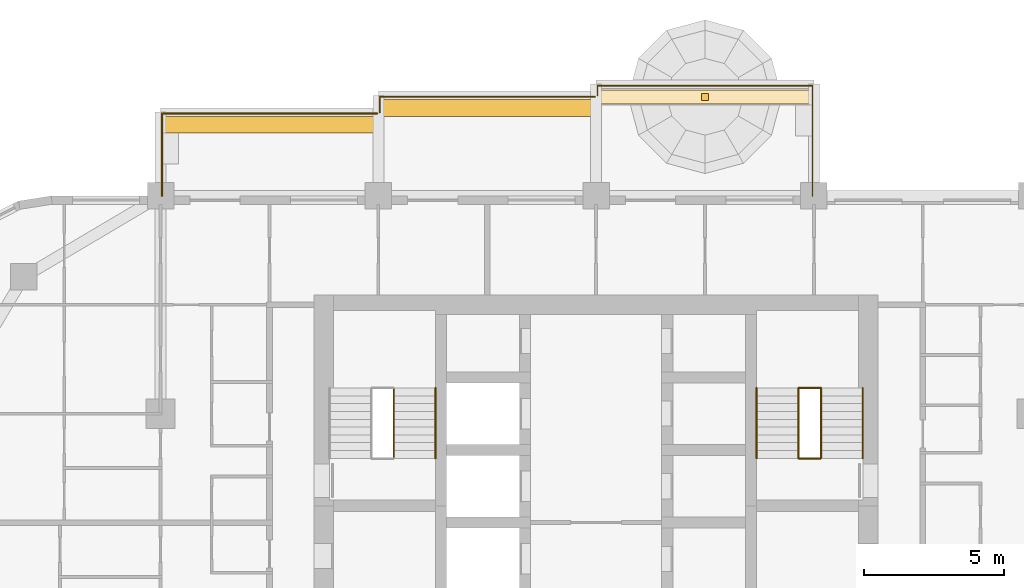
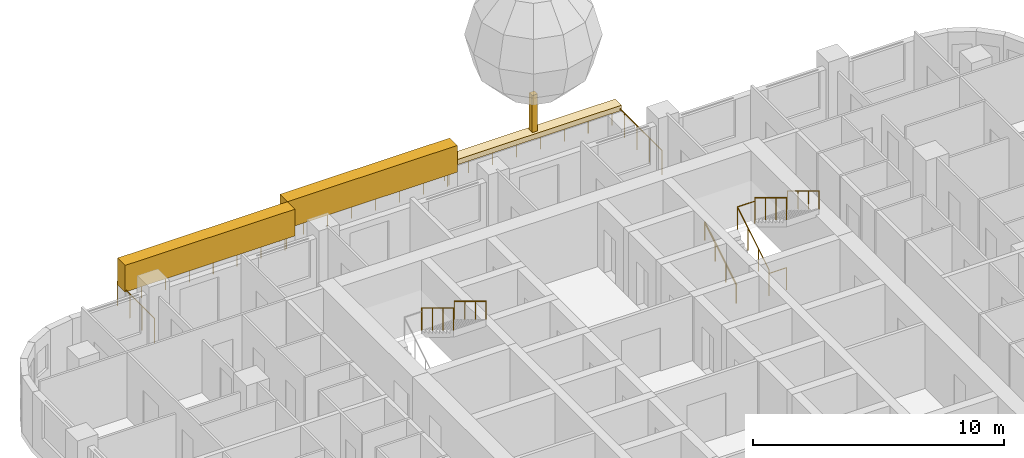
# One storey, part 17 of 18: 11 railings, 4 coverings, 2 elements without a shape of their own.
"""IFC4 building model written with IfcOpenShell, lengths in metres."""

from ifc_helpers import new_model, si_unit, direction, frame, origin, origin_2d, place, context, subcontext, project, spatial, rectangle, circle, extrude, material, layer, layer_set, type_object, element, aggregate, save


model = new_model("IFC4")

# Units and contexts
model_context = context("Model", 3, precision=1e-05, world=origin(), true_north=direction((0.0, 1.0)))
body_context = subcontext(model_context, "Body", "Model", "MODEL_VIEW")
ifc_project = project(units=[si_unit("LENGTHUNIT", "METRE"), si_unit("AREAUNIT", "SQUARE_METRE"), si_unit("VOLUMEUNIT", "CUBIC_METRE"), si_unit("PLANEANGLEUNIT", "RADIAN"), si_unit("MASSUNIT", "GRAM", prefix="KILO")], contexts=[model_context])

# Site, building, storey
site_placement = place(None, origin())
site = spatial("IfcSite", under=ifc_project, at=site_placement, CompositionType="ELEMENT")
building_placement = place(site_placement, origin())
building = spatial("IfcBuilding", under=site, at=building_placement, Name="Ludao Terraces", CompositionType="ELEMENT")
storey_placement = place(building_placement, frame((0.0, 0.0, 58.0)))
storey = spatial("IfcBuildingStorey", under=building, at=storey_placement, Name="L15", CompositionType="ELEMENT", Elevation=58.0)

# Railings
ifc_material_1 = material(Name="Stainless steel 304", Category="steel")
railing_type_1 = type_object("IfcRailingType", Name="ENV Balcony glass guard 1200", PredefinedType="GUARDRAIL", material=ifc_material_1)
railing_1_placement = place(storey_placement, frame((69.449951171875, 88.39990234375, 0.0)))
element("IfcRailing", 1, at=railing_1_placement, inside=storey, type_object=railing_type_1, Name="Balcony guard L15 N1", PredefinedType="GUARDRAIL", context=body_context, shape_type="SweptSolid", body=[
    extrude(circle(Radius=0.02392578125, at=origin_2d()), frame((0.0, 0.0, 1.17578125), z_axis=(0.0, 1.0, 0.0), x_axis=(-1.0, 0.0, 0.0)), (0.0, 0.0, 1.0), 2.9501953125),
    extrude(circle(Radius=0.02392578125, at=origin_2d()), frame((0.0, 2.9501953125, 1.17578125), z_axis=(1.0, 0.0, 0.0), x_axis=(0.0, 1.0, 0.0)), (0.0, 0.0, 1.0), 7.699951171875),
    extrude(circle(Radius=0.02099609375, at=origin_2d()), origin(), (0.0, 0.0, 1.0), 1.15185546875),
    extrude(circle(Radius=0.02099609375, at=origin_2d()), frame((0.0, 0.9833984375, 0.0)), (0.0, 0.0, 1.0), 1.15185546875),
    extrude(circle(Radius=0.02099609375, at=origin_2d()), frame((0.0, 1.966796875, 0.0)), (0.0, 0.0, 1.0), 1.15185546875),
    extrude(circle(Radius=0.02099609375, at=origin_2d()), frame((0.0, 2.9501953125, 0.0)), (0.0, 0.0, 1.0), 1.15185546875),
    extrude(circle(Radius=0.02099609375, at=origin_2d()), frame((1.10009765625, 2.9501953125, 0.0)), (0.0, 0.0, 1.0), 1.15185546875),
    extrude(circle(Radius=0.02099609375, at=origin_2d()), frame((2.199951171875, 2.9501953125, 0.0)), (0.0, 0.0, 1.0), 1.15185546875),
    extrude(circle(Radius=0.02099609375, at=origin_2d()), frame((3.300048828125, 2.9501953125, 0.0)), (0.0, 0.0, 1.0), 1.15185546875),
    extrude(circle(Radius=0.02099609375, at=origin_2d()), frame((4.39990234375, 2.9501953125, 0.0)), (0.0, 0.0, 1.0), 1.15185546875),
    extrude(circle(Radius=0.02099609375, at=origin_2d()), frame((5.5, 2.9501953125, 0.0)), (0.0, 0.0, 1.0), 1.15185546875),
    extrude(circle(Radius=0.02099609375, at=origin_2d()), frame((6.599853515625, 2.9501953125, 0.0)), (0.0, 0.0, 1.0), 1.15185546875),
    extrude(circle(Radius=0.02099609375, at=origin_2d()), frame((7.699951171875, 2.9501953125, 0.0)), (0.0, 0.0, 1.0), 1.15185546875),
])
railing_2_placement = place(storey_placement, frame((77.25, 91.39990234375, 0.0)))
element("IfcRailing", 2, at=railing_2_placement, inside=storey, type_object=railing_type_1, Name="Balcony guard L15 N2", PredefinedType="GUARDRAIL", context=body_context, shape_type="SweptSolid", body=[
    extrude(circle(Radius=0.02392578125, at=origin_2d()), frame((0.0, 0.0, 1.17578125), z_axis=(0.0, 1.0, 0.0), x_axis=(-1.0, 0.0, 0.0)), (0.0, 0.0, 1.0), 0.550048828125),
    extrude(circle(Radius=0.02392578125, at=origin_2d()), frame((0.0, 0.550048828125, 1.17578125), z_axis=(1.0, 0.0, 0.0), x_axis=(0.0, 1.0, 0.0)), (0.0, 0.0, 1.0), 7.699951171875),
    extrude(circle(Radius=0.02099609375, at=origin_2d()), origin(), (0.0, 0.0, 1.0), 1.15185546875),
    extrude(circle(Radius=0.02099609375, at=origin_2d()), frame((0.0, 0.550048828125, 0.0)), (0.0, 0.0, 1.0), 1.15185546875),
    extrude(circle(Radius=0.02099609375, at=origin_2d()), frame((1.10009765625, 0.550048828125, 0.0)), (0.0, 0.0, 1.0), 1.15185546875),
    extrude(circle(Radius=0.02099609375, at=origin_2d()), frame((2.199951171875, 0.550048828125, 0.0)), (0.0, 0.0, 1.0), 1.15185546875),
    extrude(circle(Radius=0.02099609375, at=origin_2d()), frame((3.300048828125, 0.550048828125, 0.0)), (0.0, 0.0, 1.0), 1.15185546875),
    extrude(circle(Radius=0.02099609375, at=origin_2d()), frame((4.39990234375, 0.550048828125, 0.0)), (0.0, 0.0, 1.0), 1.15185546875),
    extrude(circle(Radius=0.02099609375, at=origin_2d()), frame((5.5, 0.550048828125, 0.0)), (0.0, 0.0, 1.0), 1.15185546875),
    extrude(circle(Radius=0.02099609375, at=origin_2d()), frame((6.599853515625, 0.550048828125, 0.0)), (0.0, 0.0, 1.0), 1.15185546875),
    extrude(circle(Radius=0.02099609375, at=origin_2d()), frame((7.699951171875, 0.550048828125, 0.0)), (0.0, 0.0, 1.0), 1.15185546875),
])
railing_3_placement = place(storey_placement, frame((85.050048828125, 92.0, 0.0)))
element("IfcRailing", 3, at=railing_3_placement, inside=storey, type_object=railing_type_1, Name="Balcony guard L15 N3", PredefinedType="GUARDRAIL", context=body_context, shape_type="SweptSolid", body=[
    extrude(circle(Radius=0.02392578125, at=origin_2d()), frame((0.0, 0.0, 1.17578125), z_axis=(0.0, 1.0, 0.0), x_axis=(-1.0, 0.0, 0.0)), (0.0, 0.0, 1.0), 0.35009765625),
    extrude(circle(Radius=0.02392578125, at=origin_2d()), frame((0.0, 0.35009765625, 1.17578125), z_axis=(1.0, 0.0, 0.0), x_axis=(0.0, 1.0, 0.0)), (0.0, 0.0, 1.0), 7.699951171875),
    extrude(circle(Radius=0.02392578125, at=origin_2d()), frame((7.699951171875, 0.35009765625, 1.17578125), z_axis=(0.0, -1.0, 0.0), x_axis=(1.0, 0.0, 0.0)), (0.0, 0.0, 1.0), 3.9501953125),
    extrude(circle(Radius=0.02099609375, at=origin_2d()), origin(), (0.0, 0.0, 1.0), 1.15185546875),
    extrude(circle(Radius=0.02099609375, at=origin_2d()), frame((0.0, 0.35009765625, 0.0)), (0.0, 0.0, 1.0), 1.15185546875),
    extrude(circle(Radius=0.02099609375, at=origin_2d()), frame((1.10009765625, 0.35009765625, 0.0)), (0.0, 0.0, 1.0), 1.15185546875),
    extrude(circle(Radius=0.02099609375, at=origin_2d()), frame((2.199951171875, 0.35009765625, 0.0)), (0.0, 0.0, 1.0), 1.15185546875),
    extrude(circle(Radius=0.02099609375, at=origin_2d()), frame((3.300048828125, 0.35009765625, 0.0)), (0.0, 0.0, 1.0), 1.15185546875),
    extrude(circle(Radius=0.02099609375, at=origin_2d()), frame((4.39990234375, 0.35009765625, 0.0)), (0.0, 0.0, 1.0), 1.15185546875),
    extrude(circle(Radius=0.02099609375, at=origin_2d()), frame((5.5, 0.35009765625, 0.0)), (0.0, 0.0, 1.0), 1.15185546875),
    extrude(circle(Radius=0.02099609375, at=origin_2d()), frame((6.599853515625, 0.35009765625, 0.0)), (0.0, 0.0, 1.0), 1.15185546875),
    extrude(circle(Radius=0.02099609375, at=origin_2d()), frame((7.699951171875, 0.35009765625, 0.0)), (0.0, 0.0, 1.0), 1.15185546875),
    extrude(circle(Radius=0.02099609375, at=origin_2d()), frame((7.699951171875, -0.637451171875, 0.0)), (0.0, 0.0, 1.0), 1.15185546875),
    extrude(circle(Radius=0.02099609375, at=origin_2d()), frame((7.699951171875, -1.625, 0.0)), (0.0, 0.0, 1.0), 1.15185546875),
    extrude(circle(Radius=0.02099609375, at=origin_2d()), frame((7.699951171875, -2.612548828125, 0.0)), (0.0, 0.0, 1.0), 1.15185546875),
    extrude(circle(Radius=0.02099609375, at=origin_2d()), frame((7.699951171875, -3.60009765625, 0.0)), (0.0, 0.0, 1.0), 1.15185546875),
])

# Coverings
ifc_material_2 = material(Name="Planting")
ifc_layer_1 = layer(ifc_material_2, 0.5)
ifc_layer_set_1 = layer_set([ifc_layer_1], Name="ENV Planting bed 250")
covering_type_1 = type_object("IfcCoveringType", Name="ENV Planting bed 250", PredefinedType="USERDEFINED", material=ifc_layer_set_1)
covering_1_placement = place(storey_placement, frame((88.89990234375, 91.949951171875, 1.10009765625), z_axis=(0.0, 0.0, 1.0), x_axis=(1.0, 0.0, 0.0)))
element("IfcCovering", 4, at=covering_1_placement, inside=storey, type_object=covering_type_1, Name="Planting bed L15-N3", ObjectType="PLANTING", PredefinedType="USERDEFINED", context=body_context, shape_type="SweptSolid", body=[
    extrude(rectangle(XDim=7.800048828125, YDim=0.5, at=origin_2d()), origin(), (0.0, 0.0, 1.0), 0.25),
])
ifc_layer_2 = layer(ifc_material_2, 0.60009765625)
ifc_layer_set_2 = layer_set([ifc_layer_2], Name="ENV Planting hedge 600x1300")
covering_type_2 = type_object("IfcCoveringType", Name="ENV Planting hedge 600x1300", PredefinedType="USERDEFINED", material=ifc_layer_set_2)
for number, where, z_axis, x_axis, name in (
    (5, (73.300048828125, 90.949951171875, 1.10009765625), (0.0, 0.0, 1.0), (1.0, 0.0, 0.0), "Planting hedge L15-N1"),
    (6, (81.10009765625, 91.550048828125, 1.10009765625), (0.0, 0.0, 1.0), (1.0, 0.0, 0.0), "Planting hedge L15-N2"),
):
    element("IfcCovering", number, at=place(storey_placement, frame(where, z_axis=z_axis, x_axis=x_axis)), inside=storey, type_object=covering_type_2, Name=name, ObjectType="PLANTING", PredefinedType="USERDEFINED", context=body_context, shape_type="SweptSolid", body=[
        extrude(rectangle(XDim=7.800048828125, YDim=0.60009765625, at=origin_2d()), origin(), (0.0, 0.0, 1.0), 1.300048828125),
    ])
ifc_material_3 = material(Name="Timber tree trunk", Category="wood")
ifc_layer_3 = layer(ifc_material_3, 0.25)
ifc_layer_set_3 = layer_set([ifc_layer_3], Name="ENV Tree trunk 250x1800")
covering_type_3 = type_object("IfcCoveringType", Name="ENV Tree trunk 250x1800", PredefinedType="USERDEFINED", material=ifc_layer_set_3)
covering_2_placement = place(storey_placement, frame((88.89990234375, 91.949951171875, 1.35009765625), z_axis=(0.0, 0.0, 1.0), x_axis=(1.0, 0.0, 0.0)))
element("IfcCovering", 7, at=covering_2_placement, inside=storey, type_object=covering_type_3, Name="Tree trunk L15 N3", ObjectType="PLANTING", PredefinedType="USERDEFINED", context=body_context, shape_type="SweptSolid", body=[
    extrude(rectangle(XDim=0.25, YDim=0.25, at=origin_2d()), origin(), (0.0, 0.0, 1.0), 1.800048828125),
])

# Stair, railing
ifc_material_4 = material(Name="Concrete C40", Category="concrete")
stair_type = type_object("IfcStairType", Name="INT Stair", PredefinedType="HALF_TURN_STAIR", material=ifc_material_4)
stair_1_placement = place(storey_placement, origin())
stair_1 = element("IfcStair", 8, at=stair_1_placement, inside=storey, type_object=stair_type, Name="EXIT STAIR 1", PredefinedType="HALF_TURN_STAIR")
railing_type_2 = type_object("IfcRailingType", Name="INT Stair guard 1100", PredefinedType="GUARDRAIL", material=ifc_material_1)
railing_4_placement = place(storey_placement, frame((77.75, 81.52001953125, 1.8701171875)))
railing_4 = element("IfcRailing", 9, at=railing_4_placement, type_object=railing_type_2, Name="ST-L15-S1-R2G", PredefinedType="GUARDRAIL", context=body_context, shape_type="SweptSolid", body=[
    extrude(circle(Radius=0.02392578125, at=origin_2d()), frame((0.0, 0.0, 1.076171875), z_axis=(0.0, -0.854821627497, 0.518921945155), x_axis=(1.0, 0.0, 0.0)), (0.0, 0.0, 1.0), 2.947998046875),
    extrude(circle(Radius=0.02099609375, at=origin_2d()), origin(), (0.0, 0.0, 1.0), 1.052001953125),
    extrude(circle(Radius=0.02099609375, at=origin_2d()), frame((0.0, -0.840087890625, 0.510009765625)), (0.0, 0.0, 1.0), 1.052001953125),
    extrude(circle(Radius=0.02099609375, at=origin_2d()), frame((0.0, -1.679931640625, 1.019775390625)), (0.0, 0.0, 1.0), 1.052001953125),
    extrude(circle(Radius=0.02099609375, at=origin_2d()), frame((0.0, -2.52001953125, 1.52978515625)), (0.0, 0.0, 1.0), 1.052001953125),
])

# Stair, railings
stair_2_placement = place(storey_placement, origin())
stair_2 = element("IfcStair", 10, at=stair_2_placement, inside=storey, type_object=stair_type, Name="EXIT STAIR 2", PredefinedType="HALF_TURN_STAIR")
railing_5_placement = place(storey_placement, frame((92.25, 79.0, 0.169921875)))
railing_5 = element("IfcRailing", 11, at=railing_5_placement, type_object=railing_type_2, Name="ST-L15-S2-R1G", PredefinedType="GUARDRAIL", context=body_context, shape_type="SweptSolid", body=[
    extrude(circle(Radius=0.02392578125, at=origin_2d()), frame((0.0, 0.0, 1.076171875), z_axis=(0.0, 0.85478489116, 0.518982456201), x_axis=(-1.0, 0.0, 0.0)), (0.0, 0.0, 1.0), 2.9482421875),
    extrude(circle(Radius=0.02099609375, at=origin_2d()), origin(), (0.0, 0.0, 1.0), 1.052001953125),
    extrude(circle(Radius=0.02099609375, at=origin_2d()), frame((0.0, 0.840087890625, 0.510009765625)), (0.0, 0.0, 1.0), 1.052001953125),
    extrude(circle(Radius=0.02099609375, at=origin_2d()), frame((0.0, 1.679931640625, 1.02001953125)), (0.0, 0.0, 1.0), 1.052001953125),
    extrude(circle(Radius=0.02099609375, at=origin_2d()), frame((0.0, 2.52001953125, 1.530029296875)), (0.0, 0.0, 1.0), 1.052001953125),
])
railing_6_placement = place(storey_placement, frame((93.050048828125, 81.52001953125, 1.8701171875)))
railing_6 = element("IfcRailing", 12, at=railing_6_placement, type_object=railing_type_2, Name="ST-L15-S2-R2G", PredefinedType="GUARDRAIL", context=body_context, shape_type="SweptSolid", body=[
    extrude(circle(Radius=0.02392578125, at=origin_2d()), frame((0.0, 0.0, 1.076171875), z_axis=(0.0, -0.854821627497, 0.518921945155), x_axis=(1.0, 0.0, 0.0)), (0.0, 0.0, 1.0), 2.947998046875),
    extrude(circle(Radius=0.02099609375, at=origin_2d()), origin(), (0.0, 0.0, 1.0), 1.052001953125),
    extrude(circle(Radius=0.02099609375, at=origin_2d()), frame((0.0, -0.840087890625, 0.510009765625)), (0.0, 0.0, 1.0), 1.052001953125),
    extrude(circle(Radius=0.02099609375, at=origin_2d()), frame((0.0, -1.679931640625, 1.019775390625)), (0.0, 0.0, 1.0), 1.052001953125),
    extrude(circle(Radius=0.02099609375, at=origin_2d()), frame((0.0, -2.52001953125, 1.52978515625)), (0.0, 0.0, 1.0), 1.052001953125),
])
railing_7_placement = place(storey_placement, frame((92.25, 81.52001953125, 1.699951171875)))
railing_7 = element("IfcRailing", 13, at=railing_7_placement, type_object=railing_type_2, Name="ST-L15-S2-E1G", PredefinedType="GUARDRAIL", context=body_context, shape_type="SweptSolid", body=[
    extrude(circle(Radius=0.02392578125, at=origin_2d()), frame((0.0, 0.0, 1.076171875), z_axis=(1.0, 0.0, 0.0), x_axis=(0.0, 1.0, 0.0)), (0.0, 0.0, 1.0), 0.800048828125),
    extrude(circle(Radius=0.02099609375, at=origin_2d()), origin(), (0.0, 0.0, 1.0), 1.052001953125),
    extrude(circle(Radius=0.02099609375, at=origin_2d()), frame((0.800048828125, 0.0, 0.0)), (0.0, 0.0, 1.0), 1.052001953125),
])
railing_8_placement = place(storey_placement, frame((92.25, 79.0, 0.0)))
railing_8 = element("IfcRailing", 14, at=railing_8_placement, type_object=railing_type_2, Name="ST-L15-S2-E2G", PredefinedType="GUARDRAIL", context=body_context, shape_type="SweptSolid", body=[
    extrude(circle(Radius=0.02392578125, at=origin_2d()), frame((0.0, 0.0, 1.076171875), z_axis=(1.0, 0.0, 0.0), x_axis=(0.0, 1.0, 0.0)), (0.0, 0.0, 1.0), 0.800048828125),
    extrude(circle(Radius=0.02099609375, at=origin_2d()), origin(), (0.0, 0.0, 1.0), 1.052001953125),
    extrude(circle(Radius=0.02099609375, at=origin_2d()), frame((0.800048828125, 0.0, 0.0)), (0.0, 0.0, 1.0), 1.052001953125),
])

# Railing
railing_type_3 = type_object("IfcRailingType", Name="INT Stair handrail 900", PredefinedType="HANDRAIL", material=ifc_material_1)
railing_9_placement = place(storey_placement, frame((79.25, 81.52001953125, 1.8701171875)))
railing_9 = element("IfcRailing", 15, at=railing_9_placement, type_object=railing_type_3, Name="ST-L15-S1-R2H", PredefinedType="HANDRAIL", context=body_context, shape_type="SweptSolid", body=[
    extrude(circle(Radius=0.02392578125, at=origin_2d()), frame((0.0, 0.0, 0.8759765625), z_axis=(0.0, -0.854821627497, 0.518921945155), x_axis=(1.0, 0.0, 0.0)), (0.0, 0.0, 1.0), 2.947998046875),
    extrude(circle(Radius=0.02099609375, at=origin_2d()), origin(), (0.0, 0.0, 1.0), 0.851806640625),
    extrude(circle(Radius=0.02099609375, at=origin_2d()), frame((0.0, -0.840087890625, 0.510009765625)), (0.0, 0.0, 1.0), 0.851806640625),
    extrude(circle(Radius=0.02099609375, at=origin_2d()), frame((0.0, -1.679931640625, 1.019775390625)), (0.0, 0.0, 1.0), 0.851806640625),
    extrude(circle(Radius=0.02099609375, at=origin_2d()), frame((0.0, -2.52001953125, 1.52978515625)), (0.0, 0.0, 1.0), 0.851806640625),
])

aggregate(stair_1, [railing_4, railing_9])

railing_10_placement = place(storey_placement, frame((90.75, 79.0, 0.169921875)))
railing_10 = element("IfcRailing", 16, at=railing_10_placement, type_object=railing_type_3, Name="ST-L15-S2-R1H", PredefinedType="HANDRAIL", context=body_context, shape_type="SweptSolid", body=[
    extrude(circle(Radius=0.02392578125, at=origin_2d()), frame((0.0, 0.0, 0.8759765625), z_axis=(0.0, 0.85478489116, 0.518982456201), x_axis=(-1.0, 0.0, 0.0)), (0.0, 0.0, 1.0), 2.9482421875),
    extrude(circle(Radius=0.02099609375, at=origin_2d()), origin(), (0.0, 0.0, 1.0), 0.851806640625),
    extrude(circle(Radius=0.02099609375, at=origin_2d()), frame((0.0, 0.840087890625, 0.510009765625)), (0.0, 0.0, 1.0), 0.851806640625),
    extrude(circle(Radius=0.02099609375, at=origin_2d()), frame((0.0, 1.679931640625, 1.02001953125)), (0.0, 0.0, 1.0), 0.851806640625),
    extrude(circle(Radius=0.02099609375, at=origin_2d()), frame((0.0, 2.52001953125, 1.530029296875)), (0.0, 0.0, 1.0), 0.851806640625),
])

railing_11_placement = place(storey_placement, frame((94.550048828125, 81.52001953125, 1.8701171875)))
railing_11 = element("IfcRailing", 17, at=railing_11_placement, type_object=railing_type_3, Name="ST-L15-S2-R2H", PredefinedType="HANDRAIL", context=body_context, shape_type="SweptSolid", body=[
    extrude(circle(Radius=0.02392578125, at=origin_2d()), frame((0.0, 0.0, 0.8759765625), z_axis=(0.0, -0.854821627497, 0.518921945155), x_axis=(1.0, 0.0, 0.0)), (0.0, 0.0, 1.0), 2.947998046875),
    extrude(circle(Radius=0.02099609375, at=origin_2d()), origin(), (0.0, 0.0, 1.0), 0.851806640625),
    extrude(circle(Radius=0.02099609375, at=origin_2d()), frame((0.0, -0.840087890625, 0.510009765625)), (0.0, 0.0, 1.0), 0.851806640625),
    extrude(circle(Radius=0.02099609375, at=origin_2d()), frame((0.0, -1.679931640625, 1.019775390625)), (0.0, 0.0, 1.0), 0.851806640625),
    extrude(circle(Radius=0.02099609375, at=origin_2d()), frame((0.0, -2.52001953125, 1.52978515625)), (0.0, 0.0, 1.0), 0.851806640625),
])

aggregate(stair_2, [railing_5, railing_10, railing_6, railing_11, railing_7, railing_8])

save(model, "model.ifc")
